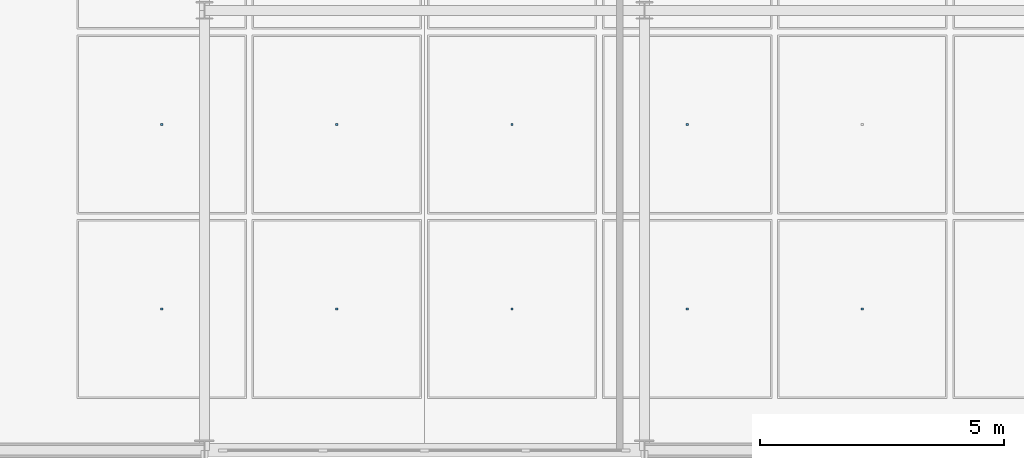
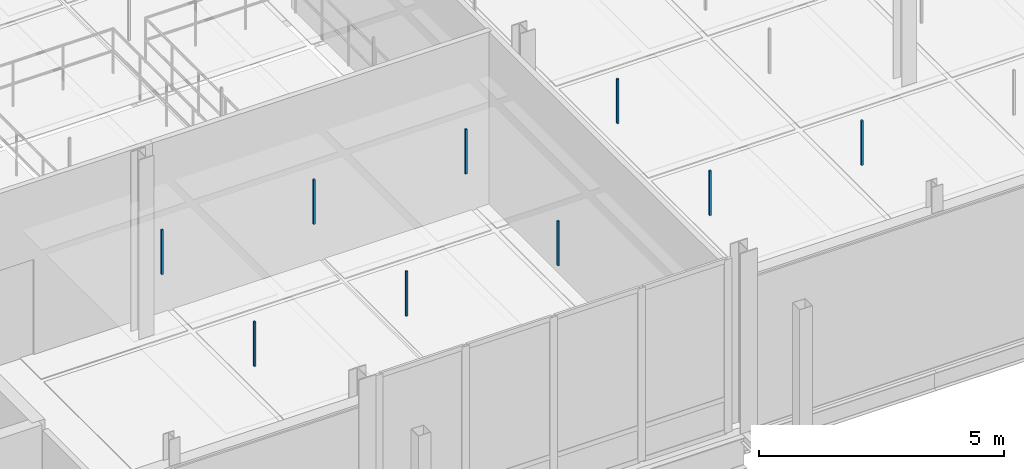
# One storey, part 79 of 130: 9 discrete accessories.
"""IFC4 building model written with IfcOpenShell, lengths in metres."""

from ifc_helpers import new_model, si_unit, direction, frame, origin, origin_2d, place, context, subcontext, project, spatial, rectangle, extrude, material, type_object, element, save


model = new_model("IFC4")

# Units and contexts
model_context = context("Model", 3, precision=1e-05, world=origin(), true_north=direction((0.0, 1.0)))
body_context = subcontext(model_context, "Body", "Model", "MODEL_VIEW")
ifc_project = project(units=[si_unit("LENGTHUNIT", "METRE"), si_unit("AREAUNIT", "SQUARE_METRE"), si_unit("VOLUMEUNIT", "CUBIC_METRE"), si_unit("PLANEANGLEUNIT", "RADIAN"), si_unit("MASSUNIT", "GRAM", prefix="KILO"), si_unit("THERMODYNAMICTEMPERATUREUNIT", "KELVIN"), si_unit("POWERUNIT", "WATT")], contexts=[model_context])

# Site, building, storey
site_placement = place(None, origin())
site = spatial("IfcSite", under=ifc_project, at=site_placement, CompositionType="ELEMENT")
building_placement = place(site_placement, origin())
building = spatial("IfcBuilding", under=site, at=building_placement, Name="Tallowbark Science Centre", CompositionType="ELEMENT")
storey_placement = place(building_placement, frame((0.0, 0.0, 5.39990234375)))
storey = spatial("IfcBuildingStorey", under=building, at=storey_placement, Name="L01", CompositionType="ELEMENT", Elevation=5.39990234375)

# Discrete accessories
ifc_material = material(Name="Galvanised Steel Grade C350L0 (350 MPa)", Category="steel")
discrete_accessory_type = type_object("IfcDiscreteAccessoryType", Name="ACC-CLG-HNG", PredefinedType="BRACKET", material=ifc_material)
for number, where, z_axis, x_axis, name in (
    (1, (75.625, 7.388916015625, 3.20947265625), (0.0, 0.0, 1.0), (1.0, 0.0, 0.0), "Ceiling Hanger Bracket L01-507"),
    (2, (75.625, 11.166748046875, 3.20947265625), (0.0, 0.0, 1.0), (1.0, 0.0, 0.0), "Ceiling Hanger Bracket L01-508"),
    (3, (79.208251953125, 7.388916015625, 3.20947265625), (0.0, 0.0, 1.0), (1.0, 0.0, 0.0), "Ceiling Hanger Bracket L01-516"),
    (4, (79.208251953125, 11.166748046875, 3.20947265625), (0.0, 0.0, 1.0), (1.0, 0.0, 0.0), "Ceiling Hanger Bracket L01-517"),
    (5, (82.791748046875, 7.388916015625, 3.20947265625), (0.0, 0.0, 1.0), (1.0, 0.0, 0.0), "Ceiling Hanger Bracket L01-525"),
    (6, (82.791748046875, 11.166748046875, 3.20947265625), (0.0, 0.0, 1.0), (1.0, 0.0, 0.0), "Ceiling Hanger Bracket L01-526"),
    (7, (86.375, 7.388916015625, 3.20947265625), (0.0, 0.0, 1.0), (1.0, 0.0, 0.0), "Ceiling Hanger Bracket L01-534"),
    (8, (86.375, 11.166748046875, 3.20947265625), (0.0, 0.0, 1.0), (1.0, 0.0, 0.0), "Ceiling Hanger Bracket L01-535"),
    (9, (89.958251953125, 7.388916015625, 3.20947265625), (0.0, 0.0, 1.0), (1.0, 0.0, 0.0), "Ceiling Hanger Bracket L01-543"),
):
    element("IfcDiscreteAccessory", number, at=place(storey_placement, frame(where, z_axis=z_axis, x_axis=x_axis)), inside=storey, type_object=discrete_accessory_type, Name=name, PredefinedType="BRACKET", context=body_context, shape_type="SweptSolid", body=[
        extrude(rectangle(XDim=0.044921875, YDim=0.044921875, at=origin_2d()), origin(), (0.0, 0.0, 1.0), 1.113525390625),
    ])

save(model, "model.ifc")
